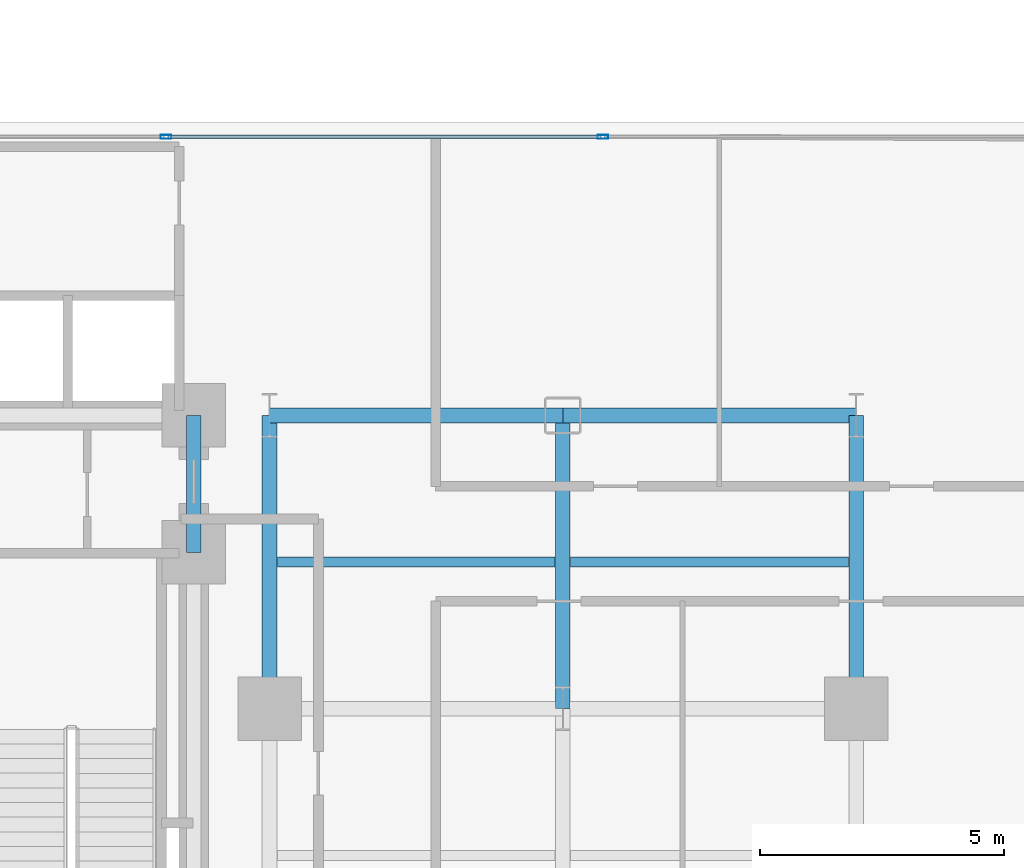
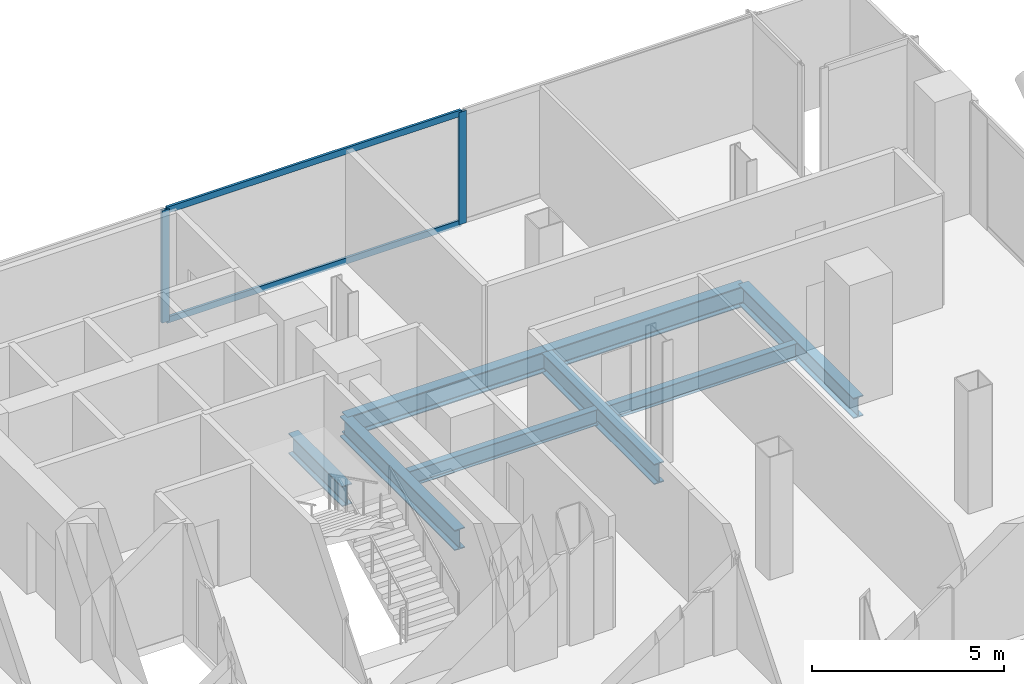
# One storey, part 11 of 27: 8 beams, 4 members, 1 element without a shape of its own.
"""IFC4 building model written with IfcOpenShell, lengths in metres."""

from ifc_helpers import new_model, si_unit, direction, frame, origin, origin_2d, place, context, subcontext, project, spatial, hollow_rectangle, i_section, extrude, material, layer, layer_set, material_profile, profile_set, type_object, element, aggregate, save


model = new_model("IFC4")

# Units and contexts
model_context = context("Model", 3, precision=1e-05, world=origin(), true_north=direction((0.0, 1.0)))
body_context = subcontext(model_context, "Body", "Model", "MODEL_VIEW")
ifc_project = project(units=[si_unit("LENGTHUNIT", "METRE"), si_unit("AREAUNIT", "SQUARE_METRE"), si_unit("VOLUMEUNIT", "CUBIC_METRE"), si_unit("PLANEANGLEUNIT", "RADIAN"), si_unit("MASSUNIT", "GRAM", prefix="KILO"), si_unit("THERMODYNAMICTEMPERATUREUNIT", "KELVIN"), si_unit("POWERUNIT", "WATT")], contexts=[model_context])

# Site, building, storey
site_placement = place(None, origin())
site = spatial("IfcSite", under=ifc_project, at=site_placement, CompositionType="ELEMENT")
building_placement = place(site_placement, origin())
building = spatial("IfcBuilding", under=site, at=building_placement, Name="Svarakhadi Broadcast Tower", CompositionType="ELEMENT")
storey_placement = place(building_placement, frame((0.0, 0.0, 90.89990234375)))
storey = spatial("IfcBuildingStorey", under=building, at=storey_placement, Name="L21", CompositionType="ELEMENT", Elevation=90.89990234375)

# Beams
ifc_material_1 = material(Name="Steel S355J2 (IS 2062 E350C)", Category="steel")
ifc_material_profile_1 = material_profile(ifc_material_1, i_section(OverallWidth=0.199951171875, OverallDepth=0.5, WebThickness=0.01025390625, FlangeThickness=0.01611328125, FilletRadius=0.02099609375, at=origin_2d()), Name="NPB 500x200x91")
ifc_profile_set_1 = profile_set([ifc_material_profile_1], Name="Steel S355J2 (IS 2062 E350C)")
beam_type_1 = type_object("IfcBeamType", Name="Beam_NPB500", PredefinedType="BEAM", material=ifc_profile_set_1)
for number, where, z_axis, x_axis, name in (
    (1, (35.31005859375, 15.0, -0.5), (1.0, 0.0, 0.0), (0.0, 1.0, 0.0), "L21 Secondary Composite Beam SB024"),
    (2, (41.31005859375, 15.0, -0.5), (1.0, 0.0, 0.0), (0.0, 1.0, 0.0), "L21 Secondary Composite Beam SB027"),
):
    element("IfcBeam", number, at=place(storey_placement, frame(where, z_axis=z_axis, x_axis=x_axis)), inside=storey, type_object=beam_type_1, Name=name, PredefinedType="BEAM", context=body_context, shape_type="SweptSolid", body=[
        extrude(i_section(OverallWidth=0.199951171875, OverallDepth=0.5, WebThickness=0.01025390625, FlangeThickness=0.01611328125, FilletRadius=0.02099609375, at=origin_2d()), origin(), (0.0, 0.0, 1.0), 5.679931640625),
    ])

# Curtain wall, members
ifc_material_2 = material(Name="Anodised Bronze Aluminium AA 6063-T6", Category="aluminium")
ifc_layer = layer(ifc_material_2, 0.219970703125)
ifc_layer_set = layer_set([ifc_layer], Name="Anodised Bronze Aluminium AA 6063-T6")
curtain_wall_type = type_object("IfcCurtainWallType", Name="CW_Sys_02", PredefinedType="NOTDEFINED", material=ifc_layer_set)
curtain_wall_placement = place(storey_placement, origin())
curtain_wall = element("IfcCurtainWall", 3, at=curtain_wall_placement, inside=storey, type_object=curtain_wall_type, Name="L21 Unitised Facade Curtain Wall 10", PredefinedType="NOTDEFINED")
ifc_material_profile_2 = material_profile(ifc_material_2, hollow_rectangle(XDim=0.0849609375, YDim=0.219970703125, WallThickness=0.006103515625, at=origin_2d()), Name="ALU MULLION 220x85x6")
ifc_profile_set_2 = profile_set([ifc_material_profile_2], Name="Anodised Bronze Aluminium AA 6063-T6")
member_type_1 = type_object("IfcMemberType", Name="CW_Sys_02_Mul", PredefinedType="MULLION", material=ifc_profile_set_2)
member_1_placement = place(storey_placement, frame((33.030029296875, 23.699951171875, 0.0), z_axis=(0.0, 0.0, 1.0), x_axis=(0.0, 1.0, 0.0)))
member_1 = element("IfcMember", 4, at=member_1_placement, type_object=member_type_1, Name="CW-02 mullion 2", PredefinedType="MULLION", context=body_context, shape_type="SweptSolid", body=[
    extrude(hollow_rectangle(XDim=0.0849609375, YDim=0.219970703125, WallThickness=0.006103515625, at=origin_2d()), origin(), (0.0, 0.0, 1.0), 3.5751953125),
])
member_2_placement = place(storey_placement, frame((41.969970703125, 23.699951171875, 0.0), z_axis=(0.0, 0.0, 1.0), x_axis=(0.0, 1.0, 0.0)))
member_2 = element("IfcMember", 5, at=member_2_placement, type_object=member_type_1, Name="CW-02 mullion 3", PredefinedType="MULLION", context=body_context, shape_type="SweptSolid", body=[
    extrude(hollow_rectangle(XDim=0.0849609375, YDim=0.219970703125, WallThickness=0.006103515625, at=origin_2d()), origin(), (0.0, 0.0, 1.0), 3.5751953125),
])
ifc_material_profile_3 = material_profile(ifc_material_2, hollow_rectangle(XDim=0.074951171875, YDim=0.199951171875, WallThickness=0.0048828125, at=origin_2d()), Name="ALU TRANSOM 200x75x5")
ifc_profile_set_3 = profile_set([ifc_material_profile_3], Name="Anodised Bronze Aluminium AA 6063-T6")
member_type_2 = type_object("IfcMemberType", Name="CW_Sys_02_Trn", PredefinedType="USERDEFINED", material=ifc_profile_set_3)
member_3_placement = place(storey_placement, frame((33.072509765625, 23.699951171875, 0.03759765625), z_axis=(1.0, 0.0, 0.0), x_axis=(0.0, 1.0, 0.0)))
member_3 = element("IfcMember", 6, at=member_3_placement, type_object=member_type_2, Name="CW-02 transom 2.1", ObjectType="TRANSOM", PredefinedType="USERDEFINED", context=body_context, shape_type="SweptSolid", body=[
    extrude(hollow_rectangle(XDim=0.074951171875, YDim=0.199951171875, WallThickness=0.0048828125, at=origin_2d()), origin(), (0.0, 0.0, 1.0), 8.85498046875),
])
member_4_placement = place(storey_placement, frame((33.072509765625, 23.699951171875, 3.53759765625), z_axis=(1.0, 0.0, 0.0), x_axis=(0.0, 1.0, 0.0)))
member_4 = element("IfcMember", 7, at=member_4_placement, type_object=member_type_2, Name="CW-02 transom 2.2", ObjectType="TRANSOM", PredefinedType="USERDEFINED", context=body_context, shape_type="SweptSolid", body=[
    extrude(hollow_rectangle(XDim=0.074951171875, YDim=0.199951171875, WallThickness=0.0048828125, at=origin_2d()), origin(), (0.0, 0.0, 1.0), 8.85498046875),
])
aggregate(curtain_wall, [member_1, member_2, member_3, member_4])

# Beams
ifc_material_profile_4 = material_profile(ifc_material_1, i_section(OverallWidth=0.300048828125, OverallDepth=0.64990234375, WebThickness=0.01611328125, FlangeThickness=0.031005859375, FilletRadius=0.027099609375, at=origin_2d()), Name="WPB 650x300x225")
ifc_profile_set_4 = profile_set([ifc_material_profile_4], Name="Steel S355J2 (IS 2062 E350C)")
beam_type_2 = type_object("IfcBeamType", Name="Girder_WPB650", PredefinedType="USERDEFINED", material=ifc_profile_set_4)
for number, where, z_axis, x_axis, name in (
    (8, (35.14990234375, 18.0, -0.574951171875), (1.0, 0.0, 0.0), (0.0, 1.0, 0.0), "L21 Primary E-W Girder G030"),
    (9, (41.14990234375, 18.0, -0.574951171875), (1.0, 0.0, 0.0), (0.0, 1.0, 0.0), "L21 Primary E-W Girder G031"),
):
    element("IfcBeam", number, at=place(storey_placement, frame(where, z_axis=z_axis, x_axis=x_axis)), inside=storey, type_object=beam_type_2, Name=name, ObjectType="GIRDER", PredefinedType="USERDEFINED", context=body_context, shape_type="SweptSolid", body=[
        extrude(i_section(OverallWidth=0.300048828125, OverallDepth=0.64990234375, WebThickness=0.01611328125, FlangeThickness=0.031005859375, FilletRadius=0.027099609375, at=origin_2d()), origin(), (0.0, 0.0, 1.0), 6.0),
    ])
beam_placement = place(storey_placement, frame((33.60009765625, 15.199951171875, -0.574951171875), z_axis=(0.0, 1.0, 0.0), x_axis=(-1.0, 0.0, 0.0)))
element("IfcBeam", 10, at=beam_placement, inside=storey, type_object=beam_type_2, Name="L21 Primary N-S Girder G075", ObjectType="GIRDER", PredefinedType="USERDEFINED", context=body_context, shape_type="SweptSolid", body=[
    extrude(i_section(OverallWidth=0.300048828125, OverallDepth=0.64990234375, WebThickness=0.01611328125, FlangeThickness=0.031005859375, FilletRadius=0.027099609375, at=origin_2d()), origin(), (0.0, 0.0, 1.0), 2.800048828125),
])
for number, where, z_axis, x_axis, name in (
    (11, (35.14990234375, 12.0, -0.574951171875), (0.0, 1.0, 0.0), (-1.0, 0.0, 0.0), "L21 Primary N-S Girder G078"),
    (12, (41.14990234375, 12.0, -0.574951171875), (0.0, 1.0, 0.0), (-1.0, 0.0, 0.0), "L21 Primary N-S Girder G081"),
    (13, (47.14990234375, 12.0, -0.574951171875), (0.0, 1.0, 0.0), (-1.0, 0.0, 0.0), "L21 Primary N-S Girder G084"),
):
    element("IfcBeam", number, at=place(storey_placement, frame(where, z_axis=z_axis, x_axis=x_axis)), inside=storey, type_object=beam_type_2, Name=name, ObjectType="GIRDER", PredefinedType="USERDEFINED", context=body_context, shape_type="SweptSolid", body=[
        extrude(i_section(OverallWidth=0.300048828125, OverallDepth=0.64990234375, WebThickness=0.01611328125, FlangeThickness=0.031005859375, FilletRadius=0.027099609375, at=origin_2d()), origin(), (0.0, 0.0, 1.0), 6.0),
    ])

save(model, "model.ifc")
